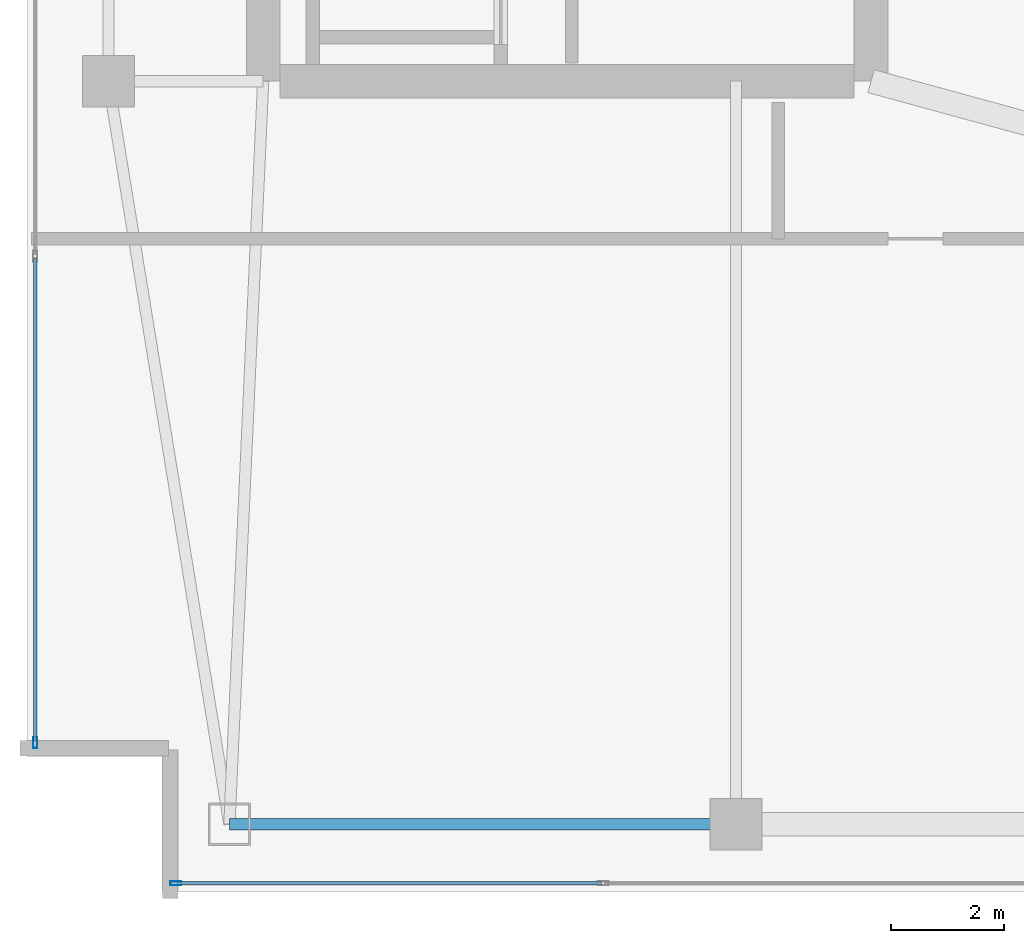
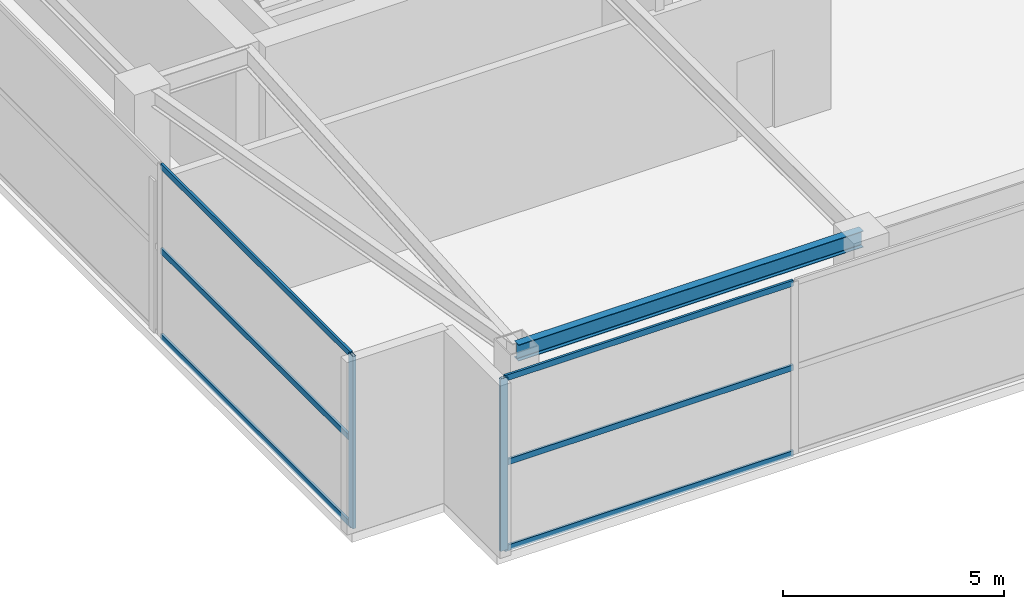
# One storey, part 3 of 21: 8 members, 1 beam, 2 elements without a shape of their own.
"""IFC4 building model written with IfcOpenShell, lengths in metres."""

from ifc_helpers import new_model, si_unit, direction, frame, origin, origin_2d, place, context, subcontext, project, spatial, hollow_rectangle, i_section, extrude, material, layer, layer_set, material_profile, profile_set, type_object, element, aggregate, save


model = new_model("IFC4")

# Units and contexts
model_context = context("Model", 3, precision=1e-05, world=origin(), true_north=direction((0.0, 1.0)))
body_context = subcontext(model_context, "Body", "Model", "MODEL_VIEW")
ifc_project = project(units=[si_unit("LENGTHUNIT", "METRE"), si_unit("AREAUNIT", "SQUARE_METRE"), si_unit("VOLUMEUNIT", "CUBIC_METRE"), si_unit("PLANEANGLEUNIT", "RADIAN"), si_unit("MASSUNIT", "GRAM", prefix="KILO")], contexts=[model_context])

# Site, building, storey
site_placement = place(None, origin())
site = spatial("IfcSite", under=ifc_project, at=site_placement, CompositionType="ELEMENT")
building_placement = place(site_placement, origin())
building = spatial("IfcBuilding", under=site, at=building_placement, Name="Calvorn Quay Hotel", CompositionType="ELEMENT")
storey_placement = place(building_placement, frame((0.0, 0.0, 330.5)))
storey = spatial("IfcBuildingStorey", under=building, at=storey_placement, Name="L81", CompositionType="ELEMENT", Elevation=330.5)

# Beam
ifc_material_1 = material(Name="Steel Q355B", Category="steel")
ifc_material_profile_1 = material_profile(ifc_material_1, i_section(OverallWidth=0.199951171875, OverallDepth=0.449951171875, WebThickness=0.009033203125, FlangeThickness=0.013916015625, FilletRadius=0.01611328125, at=origin_2d()), Name="HN450x200x9x14")
ifc_profile_set_1 = profile_set([ifc_material_profile_1], Name="Steel Q355B")
beam_type = type_object("IfcBeamType", Name="BM-SPANDREL-Z3", PredefinedType="SPANDREL", material=ifc_profile_set_1)
beam_placement = place(storey_placement, frame((3.60009765625, 3.60009765625, 4.514892578125), z_axis=(1.0, 0.0, 0.0), x_axis=(0.0, 1.0, 0.0)))
element("IfcBeam", 1, at=beam_placement, inside=storey, type_object=beam_type, Name="Beam BSP-L81-CS1", PredefinedType="SPANDREL", context=body_context, shape_type="SweptSolid", body=[
    extrude(i_section(OverallWidth=0.199951171875, OverallDepth=0.449951171875, WebThickness=0.009033203125, FlangeThickness=0.013916015625, FilletRadius=0.01611328125, at=origin_2d()), origin(), (0.0, 0.0, 1.0), 9.0),
])

# Curtain wall, member
ifc_material_2 = material(Name="Pale Anodised Aluminium and Laminated Glass", Category="aluminium")
ifc_layer = layer(ifc_material_2, 0.219970703125)
ifc_layer_set = layer_set([ifc_layer], Name="CW-SYS-CRN")
curtain_wall_type = type_object("IfcCurtainWallType", Name="CW-SYS-CRN", PredefinedType="NOTDEFINED", material=ifc_layer_set)
curtain_wall_1_placement = place(storey_placement, origin())
curtain_wall_1 = element("IfcCurtainWall", 2, at=curtain_wall_1_placement, inside=storey, type_object=curtain_wall_type, Name="Crown Curtain Wall L81-C1", PredefinedType="NOTDEFINED")
ifc_material_3 = material(Name="Pale Anodised Aluminium 6063-T6", Category="aluminium")
ifc_material_profile_2 = material_profile(ifc_material_3, hollow_rectangle(XDim=0.072021484375, YDim=0.195068359375, WallThickness=0.00390625, at=origin_2d()), Name="ALU-M195x72x4")
ifc_profile_set_2 = profile_set([ifc_material_profile_2], Name="Pale Anodised Aluminium 6063-T6")
member_type_1 = type_object("IfcMemberType", Name="CW-SYS-CRN-MUL", PredefinedType="MULLION", material=ifc_profile_set_2)
member_1_placement = place(storey_placement, frame((2.64990234375, 2.550048828125, 0.0), z_axis=(0.0, 0.0, 1.0), x_axis=(0.0, 1.0, 0.0)))
member_1 = element("IfcMember", 3, at=member_1_placement, type_object=member_type_1, Name="CW-L81-C1 mullion 1", PredefinedType="MULLION", context=body_context, shape_type="SweptSolid", body=[
    extrude(hollow_rectangle(XDim=0.072021484375, YDim=0.195068359375, WallThickness=0.00390625, at=origin_2d()), origin(), (0.0, 0.0, 1.0), 4.760009765625),
])

curtain_wall_2_placement = place(storey_placement, origin())
curtain_wall_2 = element("IfcCurtainWall", 4, at=curtain_wall_2_placement, inside=storey, type_object=curtain_wall_type, Name="Crown Curtain Wall L81-C5", PredefinedType="NOTDEFINED")
member_2_placement = place(storey_placement, frame((0.14990234375, 5.050048828125, 0.0), z_axis=(0.0, 0.0, 1.0), x_axis=(1.0, 0.0, 0.0)))
member_2 = element("IfcMember", 5, at=member_2_placement, type_object=member_type_1, Name="CW-L81-C5 mullion 6", PredefinedType="MULLION", context=body_context, shape_type="SweptSolid", body=[
    extrude(hollow_rectangle(XDim=0.072021484375, YDim=0.195068359375, WallThickness=0.00390625, at=origin_2d()), origin(), (0.0, 0.0, 1.0), 4.760009765625),
])

# Member
ifc_material_4 = material(Name="Pale Anodised Aluminium 6063-T6", Category="aluminium")
ifc_material_profile_3 = material_profile(ifc_material_4, hollow_rectangle(XDim=0.06201171875, YDim=0.159912109375, WallThickness=0.00341796875, at=origin_2d()), Name="ALU-T160x62x3.5")
ifc_profile_set_3 = profile_set([ifc_material_profile_3], Name="Pale Anodised Aluminium 6063-T6")
member_type_2 = type_object("IfcMemberType", Name="CW-SYS-CRN-TRN", PredefinedType="USERDEFINED", material=ifc_profile_set_3)
member_3_placement = place(storey_placement, frame((2.679931640625, 2.550048828125, 0.030029296875), z_axis=(1.0, 0.0, 0.0), x_axis=(0.0, 1.0, 0.0)))
member_3 = element("IfcMember", 6, at=member_3_placement, type_object=member_type_2, Name="CW-L81-C1 transom 1.1", ObjectType="TRANSOM", PredefinedType="USERDEFINED", context=body_context, shape_type="SweptSolid", body=[
    extrude(hollow_rectangle(XDim=0.06201171875, YDim=0.159912109375, WallThickness=0.00341796875, at=origin_2d()), origin(), (0.0, 0.0, 1.0), 7.530029296875),
])

member_4_placement = place(storey_placement, frame((2.679931640625, 2.550048828125, 2.39990234375), z_axis=(1.0, 0.0, 0.0), x_axis=(0.0, 1.0, 0.0)))
member_4 = element("IfcMember", 7, at=member_4_placement, type_object=member_type_2, Name="CW-L81-C1 transom 1.2", ObjectType="TRANSOM", PredefinedType="USERDEFINED", context=body_context, shape_type="SweptSolid", body=[
    extrude(hollow_rectangle(XDim=0.06201171875, YDim=0.159912109375, WallThickness=0.00341796875, at=origin_2d()), origin(), (0.0, 0.0, 1.0), 7.530029296875),
])

member_5_placement = place(storey_placement, frame((2.679931640625, 2.550048828125, 4.72998046875), z_axis=(1.0, 0.0, 0.0), x_axis=(0.0, 1.0, 0.0)))
member_5 = element("IfcMember", 8, at=member_5_placement, type_object=member_type_2, Name="CW-L81-C1 transom 1.3", ObjectType="TRANSOM", PredefinedType="USERDEFINED", context=body_context, shape_type="SweptSolid", body=[
    extrude(hollow_rectangle(XDim=0.06201171875, YDim=0.159912109375, WallThickness=0.00341796875, at=origin_2d()), origin(), (0.0, 0.0, 1.0), 7.530029296875),
])

aggregate(curtain_wall_1, [member_1, member_3, member_4, member_5])

member_6_placement = place(storey_placement, frame((0.14990234375, 13.662109375, 0.030029296875), z_axis=(0.0, -1.0, 0.0), x_axis=(1.0, 0.0, 0.0)))
member_6 = element("IfcMember", 9, at=member_6_placement, type_object=member_type_2, Name="CW-L81-C5 transom 5.1", ObjectType="TRANSOM", PredefinedType="USERDEFINED", context=body_context, shape_type="SweptSolid", body=[
    extrude(hollow_rectangle(XDim=0.06201171875, YDim=0.159912109375, WallThickness=0.00341796875, at=origin_2d()), origin(), (0.0, 0.0, 1.0), 8.58203125),
])

member_7_placement = place(storey_placement, frame((0.14990234375, 13.662109375, 2.39990234375), z_axis=(0.0, -1.0, 0.0), x_axis=(1.0, 0.0, 0.0)))
member_7 = element("IfcMember", 10, at=member_7_placement, type_object=member_type_2, Name="CW-L81-C5 transom 5.2", ObjectType="TRANSOM", PredefinedType="USERDEFINED", context=body_context, shape_type="SweptSolid", body=[
    extrude(hollow_rectangle(XDim=0.06201171875, YDim=0.159912109375, WallThickness=0.00341796875, at=origin_2d()), origin(), (0.0, 0.0, 1.0), 8.58203125),
])

member_8_placement = place(storey_placement, frame((0.14990234375, 13.662109375, 4.72998046875), z_axis=(0.0, -1.0, 0.0), x_axis=(1.0, 0.0, 0.0)))
member_8 = element("IfcMember", 11, at=member_8_placement, type_object=member_type_2, Name="CW-L81-C5 transom 5.3", ObjectType="TRANSOM", PredefinedType="USERDEFINED", context=body_context, shape_type="SweptSolid", body=[
    extrude(hollow_rectangle(XDim=0.06201171875, YDim=0.159912109375, WallThickness=0.00341796875, at=origin_2d()), origin(), (0.0, 0.0, 1.0), 8.58203125),
])

aggregate(curtain_wall_2, [member_2, member_6, member_7, member_8])

save(model, "model.ifc")
